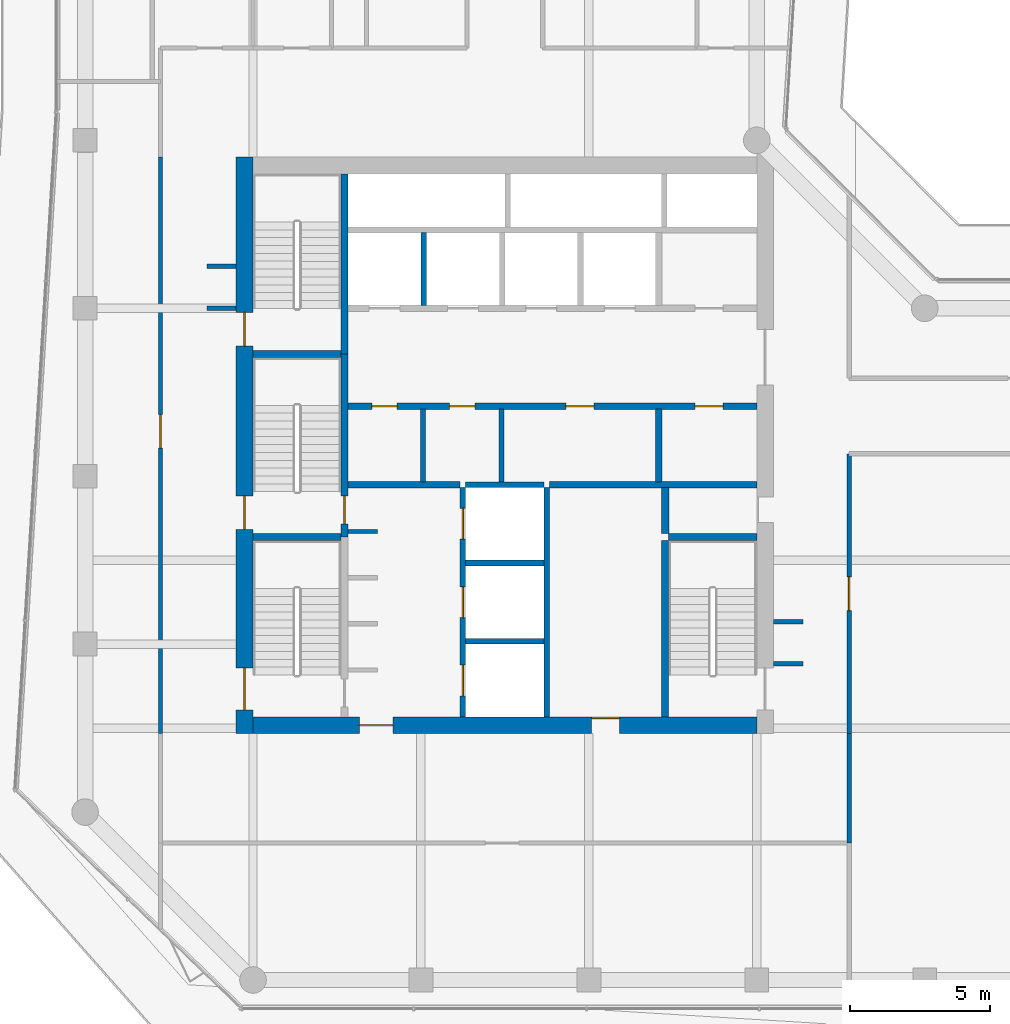
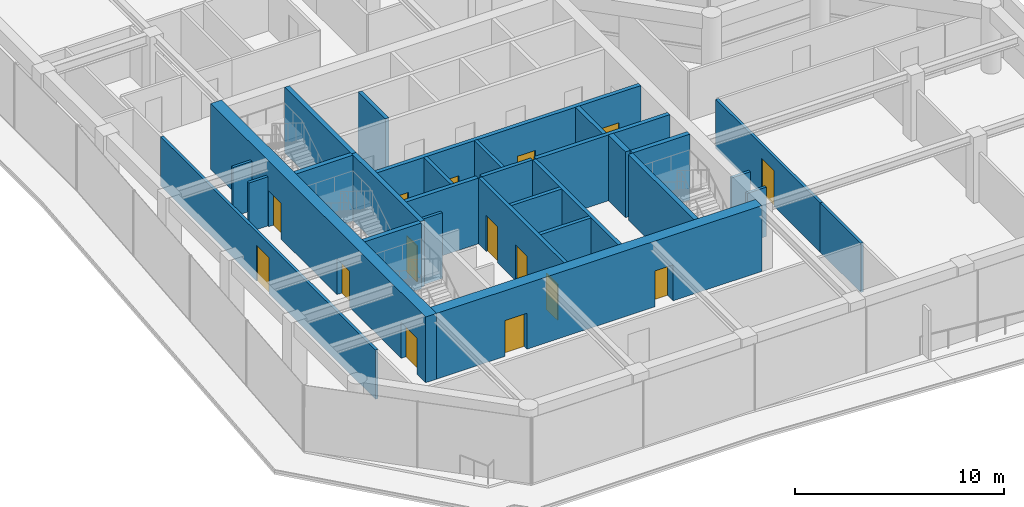
# One storey, part 18 of 22: 29 walls, 15 doors, 15 openings.
"""IFC4 building model written with IfcOpenShell, lengths in metres."""

from ifc_helpers import new_model, si_unit, direction, frame, frame_2d, origin, place, context, subcontext, project, spatial, rectangle, extrude, material, layer, layer_set, type_object, element, fill, save


model = new_model("IFC4")

# Units and contexts
model_context = context("Model", 3, precision=1e-05, world=origin(), true_north=direction((0.0, 1.0)))
body_context = subcontext(model_context, "Body", "Model", "MODEL_VIEW")
ifc_project = project(units=[si_unit("LENGTHUNIT", "METRE"), si_unit("AREAUNIT", "SQUARE_METRE"), si_unit("VOLUMEUNIT", "CUBIC_METRE"), si_unit("PLANEANGLEUNIT", "RADIAN"), si_unit("MASSUNIT", "GRAM", prefix="KILO")], contexts=[model_context])

# Site, building, storey
site_placement = place(None, origin())
site = spatial("IfcSite", under=ifc_project, at=site_placement, CompositionType="ELEMENT")
building_placement = place(site_placement, origin())
building = spatial("IfcBuilding", under=site, at=building_placement, Name="Welwitschia Terrace Campus", CompositionType="ELEMENT")
storey_placement = place(building_placement, frame((0.0, 0.0, 155.0)))
storey = spatial("IfcBuildingStorey", under=building, at=storey_placement, Name="L34", CompositionType="ELEMENT", Elevation=155.0)

# Walls
ifc_material_1 = material(Name="Concrete C32/40", Category="concrete")
ifc_layer_1 = layer(ifc_material_1, 0.175048828125)
ifc_layer_set_1 = layer_set([ifc_layer_1], Name="Concrete C32/40")
wall_type_1 = type_object("IfcWallType", Name="Core partition 175 Concrete C32/40", PredefinedType="PARTITIONING", material=ifc_layer_set_1)
for number, where, z_axis, x_axis, name in (
    (1, (12.074951171875, 13.800048828125, 0.0), (0.0, 0.0, 1.0), (0.0, 1.0, 0.0), "Core partition"),
    (2, (14.875, 13.800048828125, 0.0), (0.0, 0.0, 1.0), (0.0, 1.0, 0.0), "Core partition"),
):
    element("IfcWall", number, at=place(storey_placement, frame(where, z_axis=z_axis, x_axis=x_axis)), inside=storey, type_object=wall_type_1, Name=name, PredefinedType="PARTITIONING", context=body_context, shape_type="SweptSolid", body=[
        extrude(rectangle(XDim=2.599853515625, YDim=0.175048828125, at=frame_2d((1.2998046875, 0.0))), origin(), (0.0, 0.0, 1.0), 3.85009765625),
    ])
ifc_material_2 = material(Name="Concrete C32/40", Category="concrete")
ifc_layer_2 = layer(ifc_material_2, 0.22509765625)
ifc_layer_set_2 = layer_set([ifc_layer_2], Name="Concrete C32/40")
wall_type_2 = type_object("IfcWallType", Name="Core partition 225 Concrete C32/40", PredefinedType="PARTITIONING", material=ifc_layer_set_2)
wall_1_placement = place(storey_placement, frame((9.39990234375, 13.699951171875, 0.0), z_axis=(0.0, 0.0, 1.0), x_axis=(1.0, 0.0, 0.0)))
element("IfcWall", 3, at=wall_1_placement, inside=storey, type_object=wall_type_2, Name="Core partition", PredefinedType="PARTITIONING", context=body_context, shape_type="SweptSolid", body=[
    extrude(rectangle(XDim=4.0, YDim=0.22509765625, at=frame_2d((2.0, 0.0))), origin(), (0.0, 0.0, 1.0), 3.85009765625),
])
wall_2_placement = place(storey_placement, frame((16.60009765625, 13.699951171875, 0.0), z_axis=(0.0, 0.0, 1.0), x_axis=(1.0, 0.0, 0.0)))
element("IfcWall", 4, at=wall_2_placement, inside=storey, type_object=wall_type_2, Name="Core partition", PredefinedType="PARTITIONING", context=body_context, shape_type="SweptSolid", body=[
    extrude(rectangle(XDim=7.39990234375, YDim=0.22509765625, at=frame_2d((3.699951171875, 0.0))), origin(), (0.0, 0.0, 1.0), 3.85009765625),
])

# Wall, openings, doors
wall_3_placement = place(storey_placement, frame((9.39990234375, 16.5, 0.0), z_axis=(0.0, 0.0, 1.0), x_axis=(1.0, 0.0, 0.0)))
wall_3 = element("IfcWall", 5, at=wall_3_placement, inside=storey, type_object=wall_type_2, Name="Core partition", PredefinedType="PARTITIONING", context=body_context, shape_type="SweptSolid", body=[
    extrude(rectangle(XDim=14.60009765625, YDim=0.22509765625, at=frame_2d((7.300048828125, 0.0))), origin(), (0.0, 0.0, 1.0), 3.85009765625),
])
opening_1_placement = place(wall_3_placement, frame((0.85009765625, 0.0, 0.0)))
opening_1 = element("IfcOpeningElement", 6, at=opening_1_placement, cuts=wall_3, Name="Opening DR09", PredefinedType="OPENING", context=body_context, shape_type="SweptSolid", body=[
    extrude(rectangle(XDim=0.89990234375, YDim=2.10009765625, at=frame_2d((0.449951171875, 1.050048828125))), frame((0.0, 0.12255859375, 0.0), z_axis=(0.0, -1.0, 0.0), x_axis=(1.0, 0.0, 0.0)), (0.0, 0.0, 1.0), 0.2451171875),
])
opening_2_placement = place(wall_3_placement, frame((3.625, 0.0, 0.0)))
opening_2 = element("IfcOpeningElement", 7, at=opening_2_placement, cuts=wall_3, Name="Opening DR09", PredefinedType="OPENING", context=body_context, shape_type="SweptSolid", body=[
    extrude(rectangle(XDim=0.89990234375, YDim=2.10009765625, at=frame_2d((0.449951171875, 1.050048828125))), frame((0.0, 0.12255859375, 0.0), z_axis=(0.0, -1.0, 0.0), x_axis=(1.0, 0.0, 0.0)), (0.0, 0.0, 1.0), 0.2451171875),
])
opening_3_placement = place(wall_3_placement, frame((7.77490234375, 0.0, 0.0)))
opening_3 = element("IfcOpeningElement", 8, at=opening_3_placement, cuts=wall_3, Name="Opening DR10", PredefinedType="OPENING", context=body_context, shape_type="SweptSolid", body=[
    extrude(rectangle(XDim=1.0, YDim=2.10009765625, at=frame_2d((0.5, 1.050048828125))), frame((0.0, 0.12255859375, 0.0), z_axis=(0.0, -1.0, 0.0), x_axis=(1.0, 0.0, 0.0)), (0.0, 0.0, 1.0), 0.2451171875),
])
opening_4_placement = place(wall_3_placement, frame((12.39990234375, 0.0, 0.0)))
opening_4 = element("IfcOpeningElement", 9, at=opening_4_placement, cuts=wall_3, Name="Opening DR10", PredefinedType="OPENING", context=body_context, shape_type="SweptSolid", body=[
    extrude(rectangle(XDim=1.0, YDim=2.10009765625, at=frame_2d((0.5, 1.050048828125))), frame((0.0, 0.12255859375, 0.0), z_axis=(0.0, -1.0, 0.0), x_axis=(1.0, 0.0, 0.0)), (0.0, 0.0, 1.0), 0.2451171875),
])
ifc_material_3 = material(Name="Steel S275", Category="steel")
door_type_1 = type_object("IfcDoorType", Name="Core door DR09", OperationType="SINGLE_SWING_LEFT", PredefinedType="DOOR", material=ifc_material_3)
door_1_placement = place(opening_1_placement, origin())
door_1 = element("IfcDoor", 10, at=door_1_placement, inside=storey, type_object=door_type_1, Name="Door BAYL1-D", OperationType="SINGLE_SWING_LEFT", OverallHeight=2.10009765625, OverallWidth=0.89990234375, PredefinedType="DOOR", context=body_context, shape_type="SweptSolid", body=[
    extrude(rectangle(XDim=0.89990234375, YDim=2.10009765625, at=frame_2d((0.449951171875, 1.050048828125))), frame((0.0, 0.02490234375, 0.0), z_axis=(0.0, -1.0, 0.0), x_axis=(1.0, 0.0, 0.0)), (0.0, 0.0, 1.0), 0.050048828125),
])
fill(opening_1, door_1)
door_2_placement = place(opening_2_placement, origin())
door_2 = element("IfcDoor", 11, at=door_2_placement, inside=storey, type_object=door_type_1, Name="Door BAYL2-D", OperationType="SINGLE_SWING_LEFT", OverallHeight=2.10009765625, OverallWidth=0.89990234375, PredefinedType="DOOR", context=body_context, shape_type="SweptSolid", body=[
    extrude(rectangle(XDim=0.89990234375, YDim=2.10009765625, at=frame_2d((0.449951171875, 1.050048828125))), frame((0.0, 0.02490234375, 0.0), z_axis=(0.0, -1.0, 0.0), x_axis=(1.0, 0.0, 0.0)), (0.0, 0.0, 1.0), 0.050048828125),
])
fill(opening_2, door_2)
ifc_material_4 = material(Name="Steel S275", Category="steel")
door_type_2 = type_object("IfcDoorType", Name="Core door DR10", OperationType="SINGLE_SWING_LEFT", PredefinedType="DOOR", material=ifc_material_4)
door_3_placement = place(opening_3_placement, origin())
door_3 = element("IfcDoor", 12, at=door_3_placement, inside=storey, type_object=door_type_2, Name="Door BAYL3-D", OperationType="SINGLE_SWING_RIGHT", OverallHeight=2.10009765625, OverallWidth=1.0, PredefinedType="DOOR", context=body_context, shape_type="SweptSolid", body=[
    extrude(rectangle(XDim=1.0, YDim=2.10009765625, at=frame_2d((0.5, 1.050048828125))), frame((0.0, 0.02490234375, 0.0), z_axis=(0.0, -1.0, 0.0), x_axis=(1.0, 0.0, 0.0)), (0.0, 0.0, 1.0), 0.050048828125),
])
fill(opening_3, door_3)
door_4_placement = place(opening_4_placement, origin())
door_4 = element("IfcDoor", 13, at=door_4_placement, inside=storey, type_object=door_type_2, Name="Door EL-D", OperationType="SINGLE_SWING_RIGHT", OverallHeight=2.10009765625, OverallWidth=1.0, PredefinedType="DOOR", context=body_context, shape_type="SweptSolid", body=[
    extrude(rectangle(XDim=1.0, YDim=2.10009765625, at=frame_2d((0.5, 1.050048828125))), frame((0.0, 0.02490234375, 0.0), z_axis=(0.0, -1.0, 0.0), x_axis=(1.0, 0.0, 0.0)), (0.0, 0.0, 1.0), 0.050048828125),
])
fill(opening_4, door_4)

# Walls
wall_4_placement = place(storey_placement, frame((20.5, 13.800048828125, 0.0), z_axis=(0.0, 0.0, 1.0), x_axis=(0.0, 1.0, 0.0)))
element("IfcWall", 14, at=wall_4_placement, inside=storey, type_object=wall_type_2, Name="Core partition", PredefinedType="PARTITIONING", context=body_context, shape_type="SweptSolid", body=[
    extrude(rectangle(XDim=2.599853515625, YDim=0.22509765625, at=frame_2d((1.2998046875, 0.0))), origin(), (0.0, 0.0, 1.0), 3.85009765625),
])
ifc_material_5 = material(Name="Concrete C32/40", Category="concrete")
ifc_layer_3 = layer(ifc_material_5, 0.27490234375)
ifc_layer_set_3 = layer_set([ifc_layer_3], Name="Concrete C32/40")
wall_type_3 = type_object("IfcWallType", Name="Core partition 275 Concrete C32/40", PredefinedType="PARTITIONING", material=ifc_layer_set_3)
wall_5_placement = place(storey_placement, frame((20.72509765625, 11.949951171875, 0.0), z_axis=(0.0, 0.0, 1.0), x_axis=(0.0, 1.0, 0.0)))
element("IfcWall", 15, at=wall_5_placement, inside=storey, type_object=wall_type_3, Name="Core partition", PredefinedType="PARTITIONING", context=body_context, shape_type="SweptSolid", body=[
    extrude(rectangle(XDim=1.650146484375, YDim=0.27490234375, at=frame_2d((0.8251953125, 0.0))), origin(), (0.0, 0.0, 1.0), 3.85009765625),
])
ifc_material_6 = material(Name="Concrete C50/60", Category="concrete")
ifc_layer_4 = layer(ifc_material_6, 0.14990234375)
ifc_layer_set_4 = layer_set([ifc_layer_4], Name="Concrete C50/60")
wall_type_4 = type_object("IfcWallType", Name="Core wall 150 Concrete C50/60", PredefinedType="SHEAR", material=ifc_layer_set_4)
wall_6_placement = place(storey_placement, frame((9.39990234375, 12.02490234375, 0.0), z_axis=(0.0, 0.0, 1.0), x_axis=(1.0, 0.0, 0.0)))
element("IfcWall", 16, at=wall_6_placement, inside=storey, type_object=wall_type_4, Name="Core wall", PredefinedType="SHEAR", context=body_context, shape_type="SweptSolid", body=[
    extrude(rectangle(XDim=1.050048828125, YDim=0.14990234375, at=frame_2d((0.52490234375, 0.0))), origin(), (0.0, 0.0, 1.0), 3.85009765625),
])
ifc_material_7 = material(Name="Concrete C50/60", Category="concrete")
ifc_layer_5 = layer(ifc_material_7, 0.199951171875)
ifc_layer_set_5 = layer_set([ifc_layer_5], Name="Concrete C50/60")
wall_type_5 = type_object("IfcWallType", Name="Core wall 200 Concrete C50/60", PredefinedType="SHEAR", material=ifc_layer_set_5)
for number, where, z_axis, x_axis, name in (
    (17, (13.60009765625, 8.10009765625, 0.0), (0.0, 0.0, 1.0), (1.0, 0.0, 0.0), "Core wall"),
    (18, (13.60009765625, 10.89990234375, 0.0), (0.0, 0.0, 1.0), (1.0, 0.0, 0.0), "Core wall"),
    (19, (13.60009765625, 13.699951171875, 0.0), (0.0, 0.0, 1.0), (1.0, 0.0, 0.0), "Core wall"),
):
    element("IfcWall", number, at=place(storey_placement, frame(where, z_axis=z_axis, x_axis=x_axis)), inside=storey, type_object=wall_type_5, Name=name, PredefinedType="SHEAR", context=body_context, shape_type="SweptSolid", body=[
        extrude(rectangle(XDim=2.7998046875, YDim=0.199951171875, at=frame_2d((1.39990234375, 0.0))), origin(), (0.0, 0.0, 1.0), 3.85009765625),
    ])

# Wall, openings, doors
wall_7_placement = place(storey_placement, frame((13.5, 5.39990234375, 0.0), z_axis=(0.0, 0.0, 1.0), x_axis=(0.0, 1.0, 0.0)))
wall_7 = element("IfcWall", 20, at=wall_7_placement, inside=storey, type_object=wall_type_5, Name="Core wall", PredefinedType="SHEAR", context=body_context, shape_type="SweptSolid", body=[
    extrude(rectangle(XDim=8.2001953125, YDim=0.199951171875, at=frame_2d((4.10009765625, 0.0))), origin(), (0.0, 0.0, 1.0), 3.85009765625),
])
opening_5_placement = place(wall_7_placement, frame((0.75, 0.0, 0.0)))
opening_5 = element("IfcOpeningElement", 21, at=opening_5_placement, cuts=wall_7, Name="Opening LD", PredefinedType="OPENING", context=body_context, shape_type="SweptSolid", body=[
    extrude(rectangle(XDim=1.10009765625, YDim=2.10009765625, at=frame_2d((0.550048828125, 1.050048828125))), frame((0.0, 0.10986328125, 0.0), z_axis=(0.0, -1.0, 0.0), x_axis=(1.0, 0.0, 0.0)), (0.0, 0.0, 1.0), 0.219970703125),
])
opening_6_placement = place(wall_7_placement, frame((3.550048828125, 0.0, 0.0)))
opening_6 = element("IfcOpeningElement", 22, at=opening_6_placement, cuts=wall_7, Name="Opening LD", PredefinedType="OPENING", context=body_context, shape_type="SweptSolid", body=[
    extrude(rectangle(XDim=1.10009765625, YDim=2.10009765625, at=frame_2d((0.550048828125, 1.050048828125))), frame((0.0, 0.10986328125, 0.0), z_axis=(0.0, -1.0, 0.0), x_axis=(1.0, 0.0, 0.0)), (0.0, 0.0, 1.0), 0.219970703125),
])
opening_7_placement = place(wall_7_placement, frame((6.35009765625, 0.0, 0.0)))
opening_7 = element("IfcOpeningElement", 23, at=opening_7_placement, cuts=wall_7, Name="Opening LD", PredefinedType="OPENING", context=body_context, shape_type="SweptSolid", body=[
    extrude(rectangle(XDim=1.10009765625, YDim=2.10009765625, at=frame_2d((0.550048828125, 1.050048828125))), frame((0.0, 0.10986328125, 0.0), z_axis=(0.0, -1.0, 0.0), x_axis=(1.0, 0.0, 0.0)), (0.0, 0.0, 1.0), 0.219970703125),
])
ifc_material_8 = material(Name="Stainless steel 304", Category="steel")
door_type_3 = type_object("IfcDoorType", Name="Lift landing door", OperationType="DOUBLE_DOOR_SLIDING", PredefinedType="DOOR", material=ifc_material_8)
door_5_placement = place(opening_5_placement, origin())
door_5 = element("IfcDoor", 24, at=door_5_placement, inside=storey, type_object=door_type_3, Name="Landing door FF1", OperationType="DOUBLE_DOOR_SLIDING", OverallHeight=2.10009765625, OverallWidth=1.10009765625, PredefinedType="DOOR", context=body_context, shape_type="SweptSolid", body=[
    extrude(rectangle(XDim=1.10009765625, YDim=2.10009765625, at=frame_2d((0.550048828125, 1.050048828125))), frame((0.0, 0.02490234375, 0.0), z_axis=(0.0, -1.0, 0.0), x_axis=(1.0, 0.0, 0.0)), (0.0, 0.0, 1.0), 0.050048828125),
])
fill(opening_5, door_5)
door_6_placement = place(opening_6_placement, origin())
door_6 = element("IfcDoor", 25, at=door_6_placement, inside=storey, type_object=door_type_3, Name="Landing door FF2", OperationType="DOUBLE_DOOR_SLIDING", OverallHeight=2.10009765625, OverallWidth=1.10009765625, PredefinedType="DOOR", context=body_context, shape_type="SweptSolid", body=[
    extrude(rectangle(XDim=1.10009765625, YDim=2.10009765625, at=frame_2d((0.550048828125, 1.050048828125))), frame((0.0, 0.02490234375, 0.0), z_axis=(0.0, -1.0, 0.0), x_axis=(1.0, 0.0, 0.0)), (0.0, 0.0, 1.0), 0.050048828125),
])
fill(opening_6, door_6)
door_7_placement = place(opening_7_placement, origin())
door_7 = element("IfcDoor", 26, at=door_7_placement, inside=storey, type_object=door_type_3, Name="Landing door SV1", OperationType="DOUBLE_DOOR_SLIDING", OverallHeight=2.10009765625, OverallWidth=1.10009765625, PredefinedType="DOOR", context=body_context, shape_type="SweptSolid", body=[
    extrude(rectangle(XDim=1.10009765625, YDim=2.10009765625, at=frame_2d((0.550048828125, 1.050048828125))), frame((0.0, 0.02490234375, 0.0), z_axis=(0.0, -1.0, 0.0), x_axis=(1.0, 0.0, 0.0)), (0.0, 0.0, 1.0), 0.050048828125),
])
fill(opening_7, door_7)

# Walls
wall_8_placement = place(storey_placement, frame((16.5, 5.39990234375, 0.0), z_axis=(0.0, 0.0, 1.0), x_axis=(0.0, 1.0, 0.0)))
element("IfcWall", 27, at=wall_8_placement, inside=storey, type_object=wall_type_5, Name="Core wall", PredefinedType="SHEAR", context=body_context, shape_type="SweptSolid", body=[
    extrude(rectangle(XDim=8.2001953125, YDim=0.199951171875, at=frame_2d((4.10009765625, 0.0))), origin(), (0.0, 0.0, 1.0), 3.85009765625),
])
ifc_material_9 = material(Name="Concrete C50/60", Category="concrete")
ifc_layer_6 = layer(ifc_material_9, 0.25)
ifc_layer_set_6 = layer_set([ifc_layer_6], Name="Concrete C50/60")
wall_type_6 = type_object("IfcWallType", Name="Core wall 250 Concrete C50/60", PredefinedType="SHEAR", material=ifc_layer_set_6)
for number, where, z_axis, x_axis, name in (
    (28, (6.0, 11.824951171875, 0.0), (0.0, 0.0, 1.0), (1.0, 0.0, 0.0), "Core wall"),
    (29, (20.85009765625, 11.824951171875, 0.0), (0.0, 0.0, 1.0), (1.0, 0.0, 0.0), "Core wall"),
    (30, (6.0, 18.375, 0.0), (0.0, 0.0, 1.0), (1.0, 0.0, 0.0), "Core wall"),
):
    element("IfcWall", number, at=place(storey_placement, frame(where, z_axis=z_axis, x_axis=x_axis)), inside=storey, type_object=wall_type_6, Name=name, PredefinedType="SHEAR", context=body_context, shape_type="SweptSolid", body=[
        extrude(rectangle(XDim=3.14990234375, YDim=0.25, at=frame_2d((1.574951171875, 0.0))), origin(), (0.0, 0.0, 1.0), 3.85009765625),
    ])

# Wall, opening, door
wall_9_placement = place(storey_placement, frame((9.27490234375, 18.375, 0.0), z_axis=(0.0, 0.0, 1.0), x_axis=(0.0, -1.0, 0.0)))
wall_9 = element("IfcWall", 31, at=wall_9_placement, inside=storey, type_object=wall_type_6, Name="Core wall", PredefinedType="SHEAR", context=body_context, shape_type="SweptSolid", body=[
    extrude(rectangle(XDim=6.550048828125, YDim=0.25, at=frame_2d((3.27490234375, 0.0))), origin(), (0.0, 0.0, 1.0), 3.85009765625),
])
opening_8_placement = place(wall_9_placement, frame((5.074951171875, 0.0, 0.0)))
opening_8 = element("IfcOpeningElement", 32, at=opening_8_placement, cuts=wall_9, Name="Opening DS10", PredefinedType="OPENING", context=body_context, shape_type="SweptSolid", body=[
    extrude(rectangle(XDim=1.0, YDim=2.10009765625, at=frame_2d((0.5, 1.050048828125))), frame((0.0, 0.135009765625, 0.0), z_axis=(0.0, -1.0, 0.0), x_axis=(1.0, 0.0, 0.0)), (0.0, 0.0, 1.0), 0.27001953125),
])
ifc_material_10 = material(Name="Steel S275", Category="steel")
door_type_4 = type_object("IfcDoorType", Name="Core door DS10", OperationType="SINGLE_SWING_LEFT", PredefinedType="DOOR", material=ifc_material_10)
door_8_placement = place(opening_8_placement, origin())
door_8 = element("IfcDoor", 33, at=door_8_placement, inside=storey, type_object=door_type_4, Name="Door S3-FL", OperationType="SINGLE_SWING_RIGHT", OverallHeight=2.10009765625, OverallWidth=1.0, PredefinedType="DOOR", context=body_context, shape_type="SweptSolid", body=[
    extrude(rectangle(XDim=1.0, YDim=2.10009765625, at=frame_2d((0.5, 1.050048828125))), frame((0.0, 0.02490234375, 0.0), z_axis=(0.0, -1.0, 0.0), x_axis=(1.0, 0.0, 0.0)), (0.0, 0.0, 1.0), 0.050048828125),
])
fill(opening_8, door_8)

# Walls
wall_10_placement = place(storey_placement, frame((9.27490234375, 18.375, 0.0), z_axis=(0.0, 0.0, 1.0), x_axis=(0.0, 1.0, 0.0)))
element("IfcWall", 34, at=wall_10_placement, inside=storey, type_object=wall_type_6, Name="Core wall", PredefinedType="SHEAR", context=body_context, shape_type="SweptSolid", body=[
    extrude(rectangle(XDim=6.425048828125, YDim=0.25, at=frame_2d((3.21240234375, 0.0))), origin(), (0.0, 0.0, 1.0), 3.85009765625),
])
wall_11_placement = place(storey_placement, frame((20.72509765625, 5.39990234375, 0.0), z_axis=(0.0, 0.0, 1.0), x_axis=(0.0, 1.0, 0.0)))
element("IfcWall", 35, at=wall_11_placement, inside=storey, type_object=wall_type_6, Name="Core wall", PredefinedType="SHEAR", context=body_context, shape_type="SweptSolid", body=[
    extrude(rectangle(XDim=6.300048828125, YDim=0.25, at=frame_2d((3.14990234375, 0.0))), origin(), (0.0, 0.0, 1.0), 3.85009765625),
])

# Wall, openings, doors
ifc_material_11 = material(Name="Concrete C60/75", Category="concrete")
ifc_layer_7 = layer(ifc_material_11, 0.60009765625)
ifc_layer_set_7 = layer_set([ifc_layer_7], Name="Concrete C60/75")
wall_type_7 = type_object("IfcWallType", Name="Core wall 600 Concrete C60/75", PredefinedType="SHEAR", material=ifc_layer_set_7)
wall_12_placement = place(storey_placement, frame((5.699951171875, 4.800048828125, 0.0), z_axis=(0.0, 0.0, 1.0), x_axis=(0.0, 1.0, 0.0)))
wall_12 = element("IfcWall", 36, at=wall_12_placement, inside=storey, type_object=wall_type_7, Name="Core outer wall", PredefinedType="SHEAR", context=body_context, shape_type="SweptSolid", body=[
    extrude(rectangle(XDim=20.599853515625, YDim=0.60009765625, at=frame_2d((10.2998046875, 0.0))), origin(), (0.0, 0.0, 1.0), 3.85009765625),
])
opening_9_placement = place(wall_12_placement, frame((0.85009765625, 0.0, 0.0)))
opening_9 = element("IfcOpeningElement", 37, at=opening_9_placement, cuts=wall_12, Name="Opening DS15", PredefinedType="OPENING", context=body_context, shape_type="SweptSolid", body=[
    extrude(rectangle(XDim=1.5, YDim=2.10009765625, at=frame_2d((0.75, 1.050048828125))), frame((0.0, 0.31005859375, 0.0), z_axis=(0.0, -1.0, 0.0), x_axis=(1.0, 0.0, 0.0)), (0.0, 0.0, 1.0), 0.6201171875),
])
opening_10_placement = place(wall_12_placement, frame((7.300048828125, 0.0, 0.0)))
opening_10 = element("IfcOpeningElement", 38, at=opening_10_placement, cuts=wall_12, Name="Opening DS12", PredefinedType="OPENING", context=body_context, shape_type="SweptSolid", body=[
    extrude(rectangle(XDim=1.199951171875, YDim=2.10009765625, at=frame_2d((0.60009765625, 1.050048828125))), frame((0.0, 0.31005859375, 0.0), z_axis=(0.0, -1.0, 0.0), x_axis=(1.0, 0.0, 0.0)), (0.0, 0.0, 1.0), 0.6201171875),
])
opening_11_placement = place(wall_12_placement, frame((13.85009765625, 0.0, 0.0)))
opening_11 = element("IfcOpeningElement", 39, at=opening_11_placement, cuts=wall_12, Name="Opening DS12", PredefinedType="OPENING", context=body_context, shape_type="SweptSolid", body=[
    extrude(rectangle(XDim=1.199951171875, YDim=2.10009765625, at=frame_2d((0.60009765625, 1.050048828125))), frame((0.0, 0.31005859375, 0.0), z_axis=(0.0, -1.0, 0.0), x_axis=(1.0, 0.0, 0.0)), (0.0, 0.0, 1.0), 0.6201171875),
])
ifc_material_12 = material(Name="Steel S275", Category="steel")
door_type_5 = type_object("IfcDoorType", Name="Core door DS12", OperationType="SINGLE_SWING_LEFT", PredefinedType="DOOR", material=ifc_material_12)
door_9_placement = place(opening_10_placement, origin())
door_9 = element("IfcDoor", 40, at=door_9_placement, inside=storey, type_object=door_type_5, Name="Door S3-out", OperationType="SINGLE_SWING_LEFT", OverallHeight=2.10009765625, OverallWidth=1.199951171875, PredefinedType="DOOR", context=body_context, shape_type="SweptSolid", body=[
    extrude(rectangle(XDim=1.199951171875, YDim=2.10009765625, at=frame_2d((0.60009765625, 1.050048828125))), frame((0.0, 0.02490234375, 0.0), z_axis=(0.0, -1.0, 0.0), x_axis=(1.0, 0.0, 0.0)), (0.0, 0.0, 1.0), 0.050048828125),
])
fill(opening_10, door_9)
door_10_placement = place(opening_11_placement, origin())
door_10 = element("IfcDoor", 41, at=door_10_placement, inside=storey, type_object=door_type_5, Name="Door S4-out", OperationType="SINGLE_SWING_RIGHT", OverallHeight=2.10009765625, OverallWidth=1.199951171875, PredefinedType="DOOR", context=body_context, shape_type="SweptSolid", body=[
    extrude(rectangle(XDim=1.199951171875, YDim=2.10009765625, at=frame_2d((0.60009765625, 1.050048828125))), frame((0.0, 0.02490234375, 0.0), z_axis=(0.0, -1.0, 0.0), x_axis=(1.0, 0.0, 0.0)), (0.0, 0.0, 1.0), 0.050048828125),
])
fill(opening_11, door_10)
ifc_material_13 = material(Name="Steel S275", Category="steel")
door_type_6 = type_object("IfcDoorType", Name="Core door DS15", OperationType="DOUBLE_DOOR_SINGLE_SWING", PredefinedType="DOOR", material=ifc_material_13)
door_11_placement = place(opening_9_placement, origin())
door_11 = element("IfcDoor", 42, at=door_11_placement, inside=storey, type_object=door_type_6, Name="Door S1-out", OperationType="DOUBLE_DOOR_SINGLE_SWING", OverallHeight=2.10009765625, OverallWidth=1.5, PredefinedType="DOOR", context=body_context, shape_type="SweptSolid", body=[
    extrude(rectangle(XDim=1.5, YDim=2.10009765625, at=frame_2d((0.75, 1.050048828125))), frame((0.0, 0.02490234375, 0.0), z_axis=(0.0, -1.0, 0.0), x_axis=(1.0, 0.0, 0.0)), (0.0, 0.0, 1.0), 0.050048828125),
])
fill(opening_9, door_11)

wall_13_placement = place(storey_placement, frame((24.0, 5.10009765625, 0.0), z_axis=(0.0, 0.0, 1.0), x_axis=(-1.0, 0.0, 0.0)))
wall_13 = element("IfcWall", 43, at=wall_13_placement, inside=storey, type_object=wall_type_7, Name="Core outer wall", PredefinedType="SHEAR", context=body_context, shape_type="SweptSolid", body=[
    extrude(rectangle(XDim=18.0, YDim=0.60009765625, at=frame_2d((9.0, 0.0))), origin(), (0.0, 0.0, 1.0), 3.85009765625),
])
opening_12_placement = place(wall_13_placement, frame((13.0, 0.0, 0.0)))
opening_12 = element("IfcOpeningElement", 44, at=opening_12_placement, cuts=wall_13, Name="Opening DF12", PredefinedType="OPENING", context=body_context, shape_type="SweptSolid", body=[
    extrude(rectangle(XDim=1.199951171875, YDim=2.10009765625, at=frame_2d((0.60009765625, 1.050048828125))), frame((0.0, 0.31005859375, 0.0), z_axis=(0.0, -1.0, 0.0), x_axis=(1.0, 0.0, 0.0)), (0.0, 0.0, 1.0), 0.6201171875),
])
opening_13_placement = place(wall_13_placement, frame((4.89990234375, 0.0, 0.0)))
opening_13 = element("IfcOpeningElement", 45, at=opening_13_placement, cuts=wall_13, Name="Opening DR10", PredefinedType="OPENING", context=body_context, shape_type="SweptSolid", body=[
    extrude(rectangle(XDim=1.0, YDim=2.10009765625, at=frame_2d((0.5, 1.050048828125))), frame((0.0, 0.31005859375, 0.0), z_axis=(0.0, -1.0, 0.0), x_axis=(1.0, 0.0, 0.0)), (0.0, 0.0, 1.0), 0.6201171875),
])
ifc_material_14 = material(Name="Steel S275", Category="steel")
door_type_7 = type_object("IfcDoorType", Name="Core door DF12", OperationType="SINGLE_SWING_LEFT", PredefinedType="DOOR", material=ifc_material_14)
door_12_placement = place(opening_12_placement, origin())
door_12 = element("IfcDoor", 46, at=door_12_placement, inside=storey, type_object=door_type_7, Name="Door FL-out", OperationType="SINGLE_SWING_RIGHT", OverallHeight=2.10009765625, OverallWidth=1.199951171875, PredefinedType="DOOR", context=body_context, shape_type="SweptSolid", body=[
    extrude(rectangle(XDim=1.199951171875, YDim=2.10009765625, at=frame_2d((0.60009765625, 1.050048828125))), frame((0.0, 0.02490234375, 0.0), z_axis=(0.0, -1.0, 0.0), x_axis=(1.0, 0.0, 0.0)), (0.0, 0.0, 1.0), 0.050048828125),
])
fill(opening_12, door_12)
door_13_placement = place(opening_13_placement, origin())
door_13 = element("IfcDoor", 47, at=door_13_placement, inside=storey, type_object=door_type_2, Name="Door F1-out", OperationType="SINGLE_SWING_LEFT", OverallHeight=2.10009765625, OverallWidth=1.0, PredefinedType="DOOR", context=body_context, shape_type="SweptSolid", body=[
    extrude(rectangle(XDim=1.0, YDim=2.10009765625, at=frame_2d((0.5, 1.050048828125))), frame((0.0, -0.23974609375, 0.0), z_axis=(0.0, -1.0, 0.0), x_axis=(1.0, 0.0, 0.0)), (0.0, 0.0, 1.0), 0.050048828125),
])
fill(opening_13, door_13)

# Wall, opening, door
ifc_material_15 = material(Name="Gypsum board on steel studs", Category="steel")
ifc_layer_8 = layer(ifc_material_15, 0.14990234375)
ifc_layer_set_8 = layer_set([ifc_layer_8], Name="Gypsum board on steel studs")
wall_type_8 = type_object("IfcWallType", Name="Corridor partition 150 EI 30", PredefinedType="PARTITIONING", material=ifc_layer_set_8)
wall_14_placement = place(storey_placement, frame((2.699951171875, 4.800048828125, 0.0), z_axis=(0.0, 0.0, 1.0), x_axis=(0.0, 1.0, 0.0)))
wall_14 = element("IfcWall", 48, at=wall_14_placement, inside=storey, type_object=wall_type_8, Name="Partition", PredefinedType="PARTITIONING", context=body_context, shape_type="SweptSolid", body=[
    extrude(rectangle(XDim=20.599853515625, YDim=0.14990234375, at=frame_2d((10.2998046875, 0.0))), origin(), (0.0, 0.0, 1.0), 2.8798828125),
])
opening_14_placement = place(wall_14_placement, frame((10.199951171875, 0.0, 0.0)))
opening_14 = element("IfcOpeningElement", 49, at=opening_14_placement, cuts=wall_14, Name="Opening DI12", PredefinedType="OPENING", context=body_context, shape_type="SweptSolid", body=[
    extrude(rectangle(XDim=1.199951171875, YDim=2.10009765625, at=frame_2d((0.60009765625, 1.050048828125))), frame((0.0, 0.0849609375, 0.0), z_axis=(0.0, -1.0, 0.0), x_axis=(1.0, 0.0, 0.0)), (0.0, 0.0, 1.0), 0.169921875),
])
ifc_material_16 = material(Name="Timber veneered door", Category="wood")
door_type_8 = type_object("IfcDoorType", Name="Interior door DI12", OperationType="NOTDEFINED", PredefinedType="DOOR", material=ifc_material_16)
door_14_placement = place(opening_14_placement, origin())
door_14 = element("IfcDoor", 50, at=door_14_placement, inside=storey, type_object=door_type_8, Name="Door L34 693", OperationType="SINGLE_SWING_RIGHT", OverallHeight=2.10009765625, OverallWidth=1.199951171875, PredefinedType="DOOR", context=body_context, shape_type="SweptSolid", body=[
    extrude(rectangle(XDim=1.199951171875, YDim=2.10009765625, at=frame_2d((0.60009765625, 1.050048828125))), frame((0.0, 0.02490234375, 0.0), z_axis=(0.0, -1.0, 0.0), x_axis=(1.0, 0.0, 0.0)), (0.0, 0.0, 1.0), 0.050048828125),
])
fill(opening_14, door_14)

# Walls
for number, where, z_axis, x_axis, name in (
    (51, (4.35009765625, 20.0, 0.0), (0.0, 0.0, 1.0), (1.0, 0.0, 0.0), "Partition"),
    (52, (4.35009765625, 21.5, 0.0), (0.0, 0.0, 1.0), (1.0, 0.0, 0.0), "Partition"),
    (53, (24.60009765625, 7.300048828125, 0.0), (0.0, 0.0, 1.0), (1.0, 0.0, 0.0), "Partition"),
    (54, (24.60009765625, 8.800048828125, 0.0), (0.0, 0.0, 1.0), (1.0, 0.0, 0.0), "Partition"),
):
    element("IfcWall", number, at=place(storey_placement, frame(where, z_axis=z_axis, x_axis=x_axis)), inside=storey, type_object=wall_type_8, Name=name, PredefinedType="PARTITIONING", context=body_context, shape_type="SweptSolid", body=[
        extrude(rectangle(XDim=1.0498046875, YDim=0.14990234375, at=frame_2d((0.52490234375, 0.0))), origin(), (0.0, 0.0, 1.0), 2.8798828125),
    ])
wall_15_placement = place(storey_placement, frame((27.300048828125, 0.89990234375, 0.0), z_axis=(0.0, 0.0, 1.0), x_axis=(0.0, 1.0, 0.0)))
element("IfcWall", 55, at=wall_15_placement, inside=storey, type_object=wall_type_8, Name="Partition", PredefinedType="PARTITIONING", context=body_context, shape_type="SweptSolid", body=[
    extrude(rectangle(XDim=3.900146484375, YDim=0.14990234375, at=frame_2d((1.9501953125, 0.0))), origin(), (0.0, 0.0, 1.0), 2.8798828125),
])

# Wall, opening, door
wall_16_placement = place(storey_placement, frame((27.300048828125, 4.800048828125, 0.0), z_axis=(0.0, 0.0, 1.0), x_axis=(0.0, 1.0, 0.0)))
wall_16 = element("IfcWall", 56, at=wall_16_placement, inside=storey, type_object=wall_type_8, Name="Partition", PredefinedType="PARTITIONING", context=body_context, shape_type="SweptSolid", body=[
    extrude(rectangle(XDim=10.0, YDim=0.14990234375, at=frame_2d((5.0, 0.0))), origin(), (0.0, 0.0, 1.0), 2.8798828125),
])
opening_15_placement = place(wall_16_placement, frame((4.39990234375, 0.0, 0.0)))
opening_15 = element("IfcOpeningElement", 57, at=opening_15_placement, cuts=wall_16, Name="Opening DI12", PredefinedType="OPENING", context=body_context, shape_type="SweptSolid", body=[
    extrude(rectangle(XDim=1.199951171875, YDim=2.10009765625, at=frame_2d((0.60009765625, 1.050048828125))), frame((0.0, 0.0849609375, 0.0), z_axis=(0.0, -1.0, 0.0), x_axis=(1.0, 0.0, 0.0)), (0.0, 0.0, 1.0), 0.169921875),
])
door_15_placement = place(opening_15_placement, origin())
door_15 = element("IfcDoor", 58, at=door_15_placement, inside=storey, type_object=door_type_8, Name="Door L34 707", OperationType="SINGLE_SWING_RIGHT", OverallHeight=2.10009765625, OverallWidth=1.199951171875, PredefinedType="DOOR", context=body_context, shape_type="SweptSolid", body=[
    extrude(rectangle(XDim=1.199951171875, YDim=2.10009765625, at=frame_2d((0.60009765625, 1.050048828125))), frame((0.0, 0.02490234375, 0.0), z_axis=(0.0, -1.0, 0.0), x_axis=(1.0, 0.0, 0.0)), (0.0, 0.0, 1.0), 0.050048828125),
])
fill(opening_15, door_15)

# Wall
ifc_material_17 = material(Name="Concrete C32/40", Category="concrete")
ifc_layer_9 = layer(ifc_material_17, 0.199951171875)
ifc_layer_set_9 = layer_set([ifc_layer_9], Name="Concrete C32/40")
wall_type_9 = type_object("IfcWallType", Name="Shaft wall 200 Concrete C32/40", PredefinedType="SOLIDWALL", material=ifc_layer_set_9)
wall_17_placement = place(storey_placement, frame((12.10009765625, 20.10009765625, 0.0), z_axis=(0.0, 0.0, 1.0), x_axis=(0.0, 1.0, 0.0)))
element("IfcWall", 59, at=wall_17_placement, inside=storey, type_object=wall_type_9, Name="Shaft wall", PredefinedType="SOLIDWALL", context=body_context, shape_type="SweptSolid", body=[
    extrude(rectangle(XDim=2.599853515625, YDim=0.199951171875, at=frame_2d((1.2998046875, 0.0))), origin(), (0.0, 0.0, 1.0), 3.85009765625),
])

save(model, "model.ifc")
